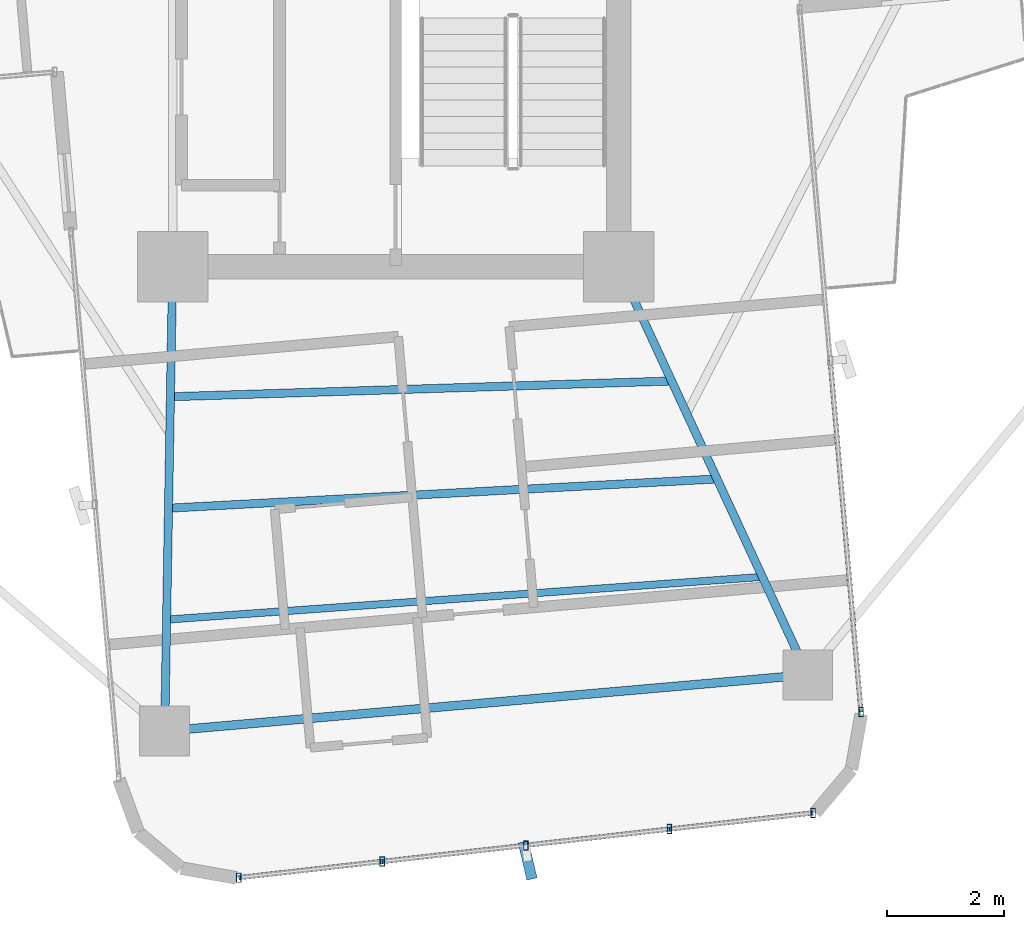
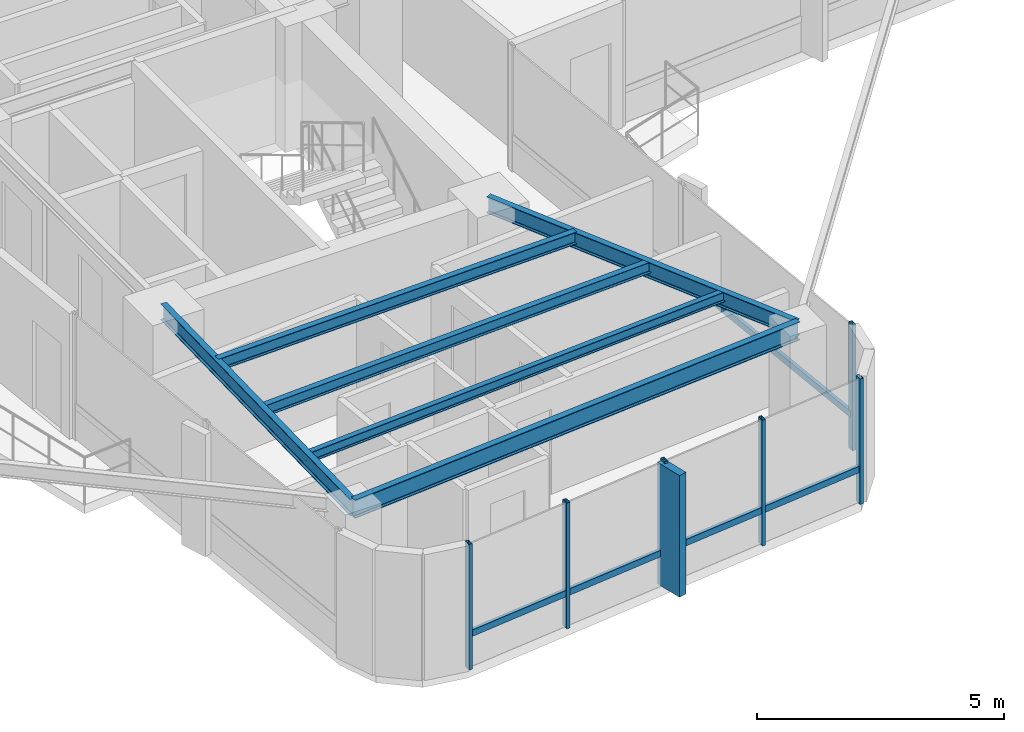
# One storey, part 6 of 24: 12 members, 6 beams, 2 elements without a shape of their own.
"""IFC4 building model written with IfcOpenShell, lengths in metres."""

from ifc_helpers import new_model, si_unit, direction, frame, origin, origin_2d, place, context, subcontext, project, spatial, rectangle, hollow_rectangle, i_section, extrude, source, transform, mapped, material, material_profile, profile_set, type_object, element, aggregate, save


model = new_model("IFC4")

# Units and contexts
model_context = context("Model", 3, precision=1e-05, world=origin(), true_north=direction((0.0, 1.0)))
body_context = subcontext(model_context, "Body", "Model", "MODEL_VIEW")
ifc_project = project(units=[si_unit("LENGTHUNIT", "METRE"), si_unit("AREAUNIT", "SQUARE_METRE"), si_unit("VOLUMEUNIT", "CUBIC_METRE"), si_unit("PLANEANGLEUNIT", "RADIAN"), si_unit("MASSUNIT", "GRAM", prefix="KILO")], contexts=[model_context])

# Site, building, storey
site_placement = place(None, origin())
site = spatial("IfcSite", under=ifc_project, at=site_placement, CompositionType="ELEMENT")
building_placement = place(site_placement, origin())
building = spatial("IfcBuilding", under=site, at=building_placement, Name="Sahyath Konkavel Grand Hotel", CompositionType="ELEMENT")
storey_placement = place(building_placement, frame((0.0, 0.0, 188.60009765625)))
storey = spatial("IfcBuildingStorey", under=building, at=storey_placement, Name="L52", CompositionType="ELEMENT", Elevation=188.60009765625)

# Beams
ifc_material_1 = material(Name="Steel E350", Category="steel")
ifc_material_profile_1 = material_profile(ifc_material_1, i_section(OverallWidth=0.139892578125, OverallDepth=0.39990234375, WebThickness=0.0087890625, FlangeThickness=0.01611328125, FilletRadius=0.013916015625, at=origin_2d()), Name="ISMB 400")
ifc_profile_set_1 = profile_set([ifc_material_profile_1], Name="Steel E350")
beam_type_1 = type_object("IfcBeamType", Name="BM-ISMB400", PredefinedType="BEAM", material=ifc_profile_set_1)
shared_shape_1 = source(origin(), body_context, "Body", "SweptSolid", [
    extrude(i_section(OverallWidth=0.139892578125, OverallDepth=0.39990234375, WebThickness=0.0087890625, FlangeThickness=0.01611328125, FilletRadius=0.013916015625, at=origin_2d()), origin(), (0.0, 0.0, 1.0), 7.913330078125),
])
beam_1_placement = place(storey_placement, frame((-3.800048828125, -10.199951171875, 2.909912109375), z_axis=(-0.017215419232, -0.999851803689, 0.0), x_axis=(0.999851803689, -0.017215419232, 0.0)))
element("IfcBeam", 1, at=beam_1_placement, inside=storey, type_object=beam_type_1, Name="L52 Cruciform Radial Girder SA", PredefinedType="BEAM", context=body_context, shape_type="MappedRepresentation", body=[
    mapped(shared_shape_1, transform((0.0, 0.0, 0.0), scale=1.0)),
])
shared_shape_2 = source(origin(), body_context, "Body", "SweptSolid", [
    extrude(i_section(OverallWidth=0.139892578125, OverallDepth=0.39990234375, WebThickness=0.0087890625, FlangeThickness=0.01611328125, FilletRadius=0.013916015625, at=origin_2d()), origin(), (0.0, 0.0, 1.0), 7.66357421875),
])
beam_2_placement = place(storey_placement, frame((3.800048828125, -10.199951171875, 2.909912109375), z_axis=(0.420395127561, -0.907341135804, 0.0), x_axis=(0.907341135804, 0.420395127561, 0.0)))
element("IfcBeam", 2, at=beam_2_placement, inside=storey, type_object=beam_type_1, Name="L52 Cruciform Radial Girder SB", PredefinedType="BEAM", context=body_context, shape_type="MappedRepresentation", body=[
    mapped(shared_shape_2, transform((0.0, 0.0, 0.0), scale=1.0)),
])
ifc_material_profile_2 = material_profile(ifc_material_1, i_section(OverallWidth=0.14990234375, OverallDepth=0.449951171875, WebThickness=0.009521484375, FlangeThickness=0.017333984375, FilletRadius=0.014892578125, at=origin_2d()), Name="ISMB 450")
ifc_profile_set_2 = profile_set([ifc_material_profile_2], Name="Steel E350")
beam_type_2 = type_object("IfcBeamType", Name="BM-ISMB450", PredefinedType="BEAM", material=ifc_profile_set_2)
shared_shape_3 = source(origin(), body_context, "Body", "SweptSolid", [
    extrude(i_section(OverallWidth=0.14990234375, OverallDepth=0.449951171875, WebThickness=0.009521484375, FlangeThickness=0.017333984375, FilletRadius=0.014892578125, at=origin_2d()), origin(), (0.0, 0.0, 1.0), 10.999755859375),
])
beam_3_placement = place(storey_placement, frame((-3.936279296875, -18.112060546875, 2.885009765625), z_axis=(0.99619439202, 0.087159241098, 0.0), x_axis=(-0.087159241098, 0.99619439202, 0.0)))
element("IfcBeam", 3, at=beam_3_placement, inside=storey, type_object=beam_type_2, Name="L52 Wing Tip Edge Beam S", PredefinedType="BEAM", context=body_context, shape_type="MappedRepresentation", body=[
    mapped(shared_shape_3, transform((0.0, 0.0, 0.0), scale=1.0)),
])
ifc_material_profile_3 = material_profile(ifc_material_1, i_section(OverallWidth=0.139892578125, OverallDepth=0.300048828125, WebThickness=0.0078125, FlangeThickness=0.01318359375, FilletRadius=0.013916015625, at=origin_2d()), Name="ISMB 300")
ifc_profile_set_3 = profile_set([ifc_material_profile_3], Name="Steel E350")
beam_type_3 = type_object("IfcBeamType", Name="BM-ISMB300", PredefinedType="BEAM", material=ifc_profile_set_3)
shared_shape_4 = source(origin(), body_context, "Body", "SweptSolid", [
    extrude(i_section(OverallWidth=0.139892578125, OverallDepth=0.300048828125, WebThickness=0.0078125, FlangeThickness=0.01318359375, FilletRadius=0.013916015625, at=origin_2d()), origin(), (0.0, 0.0, 1.0), 8.54443359375),
])
beam_4_placement = place(storey_placement, frame((-3.838134765625, -12.415283203125, 2.9599609375), z_axis=(0.999506849365, 0.031401561632, 0.0), x_axis=(-0.031401561632, 0.999506849365, 0.0)))
element("IfcBeam", 4, at=beam_4_placement, inside=storey, type_object=beam_type_3, Name="L52 Secondary Floor Beam S-1", PredefinedType="BEAM", context=body_context, shape_type="MappedRepresentation", body=[
    mapped(shared_shape_4, transform((0.0, 0.0, 0.0), scale=1.0)),
])
ifc_material_profile_4 = material_profile(ifc_material_1, i_section(OverallWidth=0.139892578125, OverallDepth=0.27490234375, WebThickness=0.00634765625, FlangeThickness=0.0087890625, FilletRadius=0.012939453125, at=origin_2d()), Name="ISLB 275")
ifc_profile_set_4 = profile_set([ifc_material_profile_4], Name="Steel E350")
beam_type_4 = type_object("IfcBeamType", Name="BM-ISLB275", PredefinedType="BEAM", material=ifc_profile_set_4)
shared_shape_5 = source(origin(), body_context, "Body", "SweptSolid", [
    extrude(i_section(OverallWidth=0.139892578125, OverallDepth=0.27490234375, WebThickness=0.00634765625, FlangeThickness=0.0087890625, FilletRadius=0.012939453125, at=origin_2d()), origin(), (0.0, 0.0, 1.0), 9.359375),
])
beam_5_placement = place(storey_placement, frame((-3.870849609375, -14.314208984375, 2.972412109375), z_axis=(0.998580397723, 0.053265272769, 0.0), x_axis=(-0.053265272769, 0.998580397723, 0.0)))
element("IfcBeam", 5, at=beam_5_placement, inside=storey, type_object=beam_type_4, Name="L52 Secondary Floor Beam S-2", PredefinedType="BEAM", context=body_context, shape_type="MappedRepresentation", body=[
    mapped(shared_shape_5, transform((0.0, 0.0, 0.0), scale=1.0)),
])
ifc_material_profile_5 = material_profile(ifc_material_1, i_section(OverallWidth=0.125, OverallDepth=0.25, WebThickness=0.0068359375, FlangeThickness=0.012451171875, FilletRadius=0.012939453125, at=origin_2d()), Name="ISMB 250")
ifc_profile_set_5 = profile_set([ifc_material_profile_5], Name="Steel E350")
beam_type_5 = type_object("IfcBeamType", Name="BM-ISMB250", PredefinedType="BEAM", material=ifc_profile_set_5)
shared_shape_6 = source(origin(), body_context, "Body", "SweptSolid", [
    extrude(i_section(OverallWidth=0.125, OverallDepth=0.25, WebThickness=0.0068359375, FlangeThickness=0.012451171875, FilletRadius=0.012939453125, at=origin_2d()), origin(), (0.0, 0.0, 1.0), 10.178466796875),
])
beam_6_placement = place(storey_placement, frame((-3.90380859375, -16.213134765625, 2.98486328125), z_axis=(0.997435268886, 0.071574327683, 0.0), x_axis=(-0.071574327683, 0.997435268886, 0.0)))
element("IfcBeam", 6, at=beam_6_placement, inside=storey, type_object=beam_type_5, Name="L52 Secondary Floor Beam S-3", PredefinedType="BEAM", context=body_context, shape_type="MappedRepresentation", body=[
    mapped(shared_shape_6, transform((0.0, 0.0, 0.0), scale=1.0)),
])

# Curtain wall, members
ifc_material_2 = material(Name="Anodised Bronze Aluminium & Low-E Glazing", Category="aluminium")
curtain_wall_type = type_object("IfcCurtainWallType", Name="CW-ZONE3", PredefinedType="NOTDEFINED", material=ifc_material_2)
curtain_wall_1_placement = place(storey_placement, origin())
curtain_wall_1 = element("IfcCurtainWall", 7, at=curtain_wall_1_placement, inside=storey, type_object=curtain_wall_type, Name="L52 Unitised Curtain Wall F28", PredefinedType="NOTDEFINED")
ifc_material_3 = material(Name="Anodised Bronze Aluminium", Category="aluminium")
ifc_material_profile_6 = material_profile(ifc_material_3, hollow_rectangle(XDim=0.080078125, YDim=0.159912109375, WallThickness=0.006103515625, at=origin_2d()), Name="RHS 160x80x6")
ifc_profile_set_6 = profile_set([ifc_material_profile_6], Name="Anodised Bronze Aluminium")
member_type_1 = type_object("IfcMemberType", Name="CW-MUL-160", PredefinedType="MULLION", material=ifc_profile_set_6)
shared_shape_7 = source(origin(), body_context, "Body", "SweptSolid", [
    extrude(hollow_rectangle(XDim=0.080078125, YDim=0.159912109375, WallThickness=0.006103515625, at=origin_2d()), origin(), (0.0, 0.0, 1.0), 3.10986328125),
])
member_1_placement = place(storey_placement, frame((-2.673828125, -20.610595703125, 0.0), z_axis=(0.0, 0.0, 1.0), x_axis=(1.0, 0.0, 0.0)))
member_1 = element("IfcMember", 8, at=member_1_placement, type_object=member_type_1, Name="L52 Curtain Wall Mullion F28-0", PredefinedType="MULLION", context=body_context, shape_type="MappedRepresentation", body=[
    mapped(shared_shape_7, transform((0.0, 0.0, 0.0), scale=1.0)),
])
member_2_placement = place(storey_placement, frame((-0.227294921875, -20.334716796875, 0.0), z_axis=(0.0, 0.0, 1.0), x_axis=(1.0, 0.0, 0.0)))
member_2 = element("IfcMember", 9, at=member_2_placement, type_object=member_type_1, Name="L52 Curtain Wall Mullion F28-1", PredefinedType="MULLION", context=body_context, shape_type="MappedRepresentation", body=[
    mapped(shared_shape_7, transform((0.0, 0.0, 0.0), scale=1.0)),
])
member_3_placement = place(storey_placement, frame((2.21923828125, -20.05908203125, 0.0), z_axis=(0.0, 0.0, 1.0), x_axis=(1.0, 0.0, 0.0)))
member_3 = element("IfcMember", 10, at=member_3_placement, type_object=member_type_1, Name="L52 Curtain Wall Mullion F28-2", PredefinedType="MULLION", context=body_context, shape_type="MappedRepresentation", body=[
    mapped(shared_shape_7, transform((0.0, 0.0, 0.0), scale=1.0)),
])
member_4_placement = place(storey_placement, frame((4.665771484375, -19.783203125, 0.0), z_axis=(0.0, 0.0, 1.0), x_axis=(1.0, 0.0, 0.0)))
member_4 = element("IfcMember", 11, at=member_4_placement, type_object=member_type_1, Name="L52 Curtain Wall Mullion F28-3", PredefinedType="MULLION", context=body_context, shape_type="MappedRepresentation", body=[
    mapped(shared_shape_7, transform((0.0, 0.0, 0.0), scale=1.0)),
])
member_5_placement = place(storey_placement, frame((7.1123046875, -19.507568359375, 0.0), z_axis=(0.0, 0.0, 1.0), x_axis=(1.0, 0.0, 0.0)))
member_5 = element("IfcMember", 12, at=member_5_placement, type_object=member_type_1, Name="L52 Curtain Wall Mullion F28-4", PredefinedType="MULLION", context=body_context, shape_type="MappedRepresentation", body=[
    mapped(shared_shape_7, transform((0.0, 0.0, 0.0), scale=1.0)),
])

# Curtain wall, member
curtain_wall_2_placement = place(storey_placement, origin())
curtain_wall_2 = element("IfcCurtainWall", 13, at=curtain_wall_2_placement, inside=storey, type_object=curtain_wall_type, Name="L52 Unitised Curtain Wall F31", PredefinedType="NOTDEFINED")
member_6_placement = place(storey_placement, frame((7.930419921875, -17.78662109375, 0.0), z_axis=(0.0, 0.0, 1.0), x_axis=(1.0, 0.0, 0.0)))
member_6 = element("IfcMember", 14, at=member_6_placement, type_object=member_type_1, Name="L52 Curtain Wall Mullion F31-0", PredefinedType="MULLION", context=body_context, shape_type="MappedRepresentation", body=[
    mapped(shared_shape_7, transform((0.0, 0.0, 0.0), scale=1.0)),
])

# Member
ifc_material_4 = material(Name="Warm Buff Sandstone Cladding on Concrete C50/60", Category="masonry")
ifc_material_profile_7 = material_profile(ifc_material_4, rectangle(XDim=0.179931640625, YDim=0.64990234375, at=origin_2d()), Name="FIN 180x650")
ifc_profile_set_7 = profile_set([ifc_material_profile_7], Name="Warm Buff Sandstone Cladding on Concrete C50/60")
member_type_2 = type_object("IfcMemberType", Name="FIN-SANDSTONE-650", PredefinedType="MULLION", material=ifc_profile_set_7)
shared_shape_8 = source(origin(), body_context, "Body", "SweptSolid", [
    extrude(rectangle(XDim=0.179931640625, YDim=0.64990234375, at=origin_2d()), origin(), (0.0, 0.0, 1.0), 3.010009765625),
])
member_7_placement = place(storey_placement, frame((2.248291015625, -20.3173828125, 0.0498046875), z_axis=(0.0, 0.0, 1.0), x_axis=(0.973138706701, 0.230219585439, 0.0)))
member_7 = element("IfcMember", 15, at=member_7_placement, type_object=member_type_2, Name="L52 Sandstone Vertical Solar Fin FIN F28-2", PredefinedType="MULLION", context=body_context, shape_type="MappedRepresentation", body=[
    mapped(shared_shape_8, transform((0.0, 0.0, 0.0), scale=1.0)),
])

ifc_material_profile_8 = material_profile(ifc_material_3, hollow_rectangle(XDim=0.080078125, YDim=0.159912109375, WallThickness=0.006103515625, at=origin_2d()), Name="RHS 160x80x6")
ifc_profile_set_8 = profile_set([ifc_material_profile_8], Name="Anodised Bronze Aluminium")
member_type_3 = type_object("IfcMemberType", Name="CW-TRN-160", PredefinedType="USERDEFINED", material=ifc_profile_set_8)
shared_shape_9 = source(origin(), body_context, "Body", "SweptSolid", [
    extrude(hollow_rectangle(XDim=0.080078125, YDim=0.159912109375, WallThickness=0.006103515625, at=origin_2d()), origin(), (0.0, 0.0, 1.0), 2.462158203125),
])
member_8_placement = place(storey_placement, frame((-2.673828125, -20.610595703125, 0.849853515625), z_axis=(0.99370222711, 0.112053040279, 0.0), x_axis=(-0.112053040279, 0.99370222711, 0.0)))
member_8 = element("IfcMember", 16, at=member_8_placement, type_object=member_type_3, Name="L52 Curtain Wall Transom F28-0-spandrel", ObjectType="TRANSOM", PredefinedType="USERDEFINED", context=body_context, shape_type="MappedRepresentation", body=[
    mapped(shared_shape_9, transform((0.0, 0.0, 0.0), scale=1.0)),
])

member_9_placement = place(storey_placement, frame((2.21923828125, -20.05908203125, 0.849853515625), z_axis=(0.99370222711, 0.112053040279, 0.0), x_axis=(-0.112053040279, 0.99370222711, 0.0)))
member_9 = element("IfcMember", 17, at=member_9_placement, type_object=member_type_3, Name="L52 Curtain Wall Transom F28-2-spandrel", ObjectType="TRANSOM", PredefinedType="USERDEFINED", context=body_context, shape_type="MappedRepresentation", body=[
    mapped(shared_shape_9, transform((0.0, 0.0, 0.0), scale=1.0)),
])

shared_shape_10 = source(origin(), body_context, "Body", "SweptSolid", [
    extrude(hollow_rectangle(XDim=0.080078125, YDim=0.159912109375, WallThickness=0.006103515625, at=origin_2d()), origin(), (0.0, 0.0, 1.0), 2.4619140625),
])
member_10_placement = place(storey_placement, frame((-0.227294921875, -20.334716796875, 0.849853515625), z_axis=(0.993713263833, 0.111955121731, 0.0), x_axis=(-0.111955121731, 0.993713263833, 0.0)))
member_10 = element("IfcMember", 18, at=member_10_placement, type_object=member_type_3, Name="L52 Curtain Wall Transom F28-1-spandrel", ObjectType="TRANSOM", PredefinedType="USERDEFINED", context=body_context, shape_type="MappedRepresentation", body=[
    mapped(shared_shape_10, transform((0.0, 0.0, 0.0), scale=1.0)),
])

member_11_placement = place(storey_placement, frame((4.665771484375, -19.783203125, 0.849853515625), z_axis=(0.993713263833, 0.111955121731, 0.0), x_axis=(-0.111955121731, 0.993713263833, 0.0)))
member_11 = element("IfcMember", 19, at=member_11_placement, type_object=member_type_3, Name="L52 Curtain Wall Transom F28-3-spandrel", ObjectType="TRANSOM", PredefinedType="USERDEFINED", context=body_context, shape_type="MappedRepresentation", body=[
    mapped(shared_shape_10, transform((0.0, 0.0, 0.0), scale=1.0)),
])

aggregate(curtain_wall_1, [member_1, member_2, member_3, member_7, member_4, member_5, member_8, member_10, member_9, member_11])

shared_shape_11 = source(origin(), body_context, "Body", "SweptSolid", [
    extrude(hollow_rectangle(XDim=0.080078125, YDim=0.159912109375, WallThickness=0.006103515625, at=origin_2d()), origin(), (0.0, 0.0, 1.0), 6.01025390625),
])
member_12_placement = place(storey_placement, frame((7.930419921875, -17.78662109375, 0.849853515625), z_axis=(-0.087172997156, 0.996193188376, 0.0), x_axis=(-0.996193188376, -0.087172997156, 0.0)))
member_12 = element("IfcMember", 20, at=member_12_placement, type_object=member_type_3, Name="L52 Curtain Wall Transom F31-0-spandrel", ObjectType="TRANSOM", PredefinedType="USERDEFINED", context=body_context, shape_type="MappedRepresentation", body=[
    mapped(shared_shape_11, transform((0.0, 0.0, 0.0), scale=1.0)),
])

aggregate(curtain_wall_2, [member_6, member_12])

save(model, "model.ifc")
